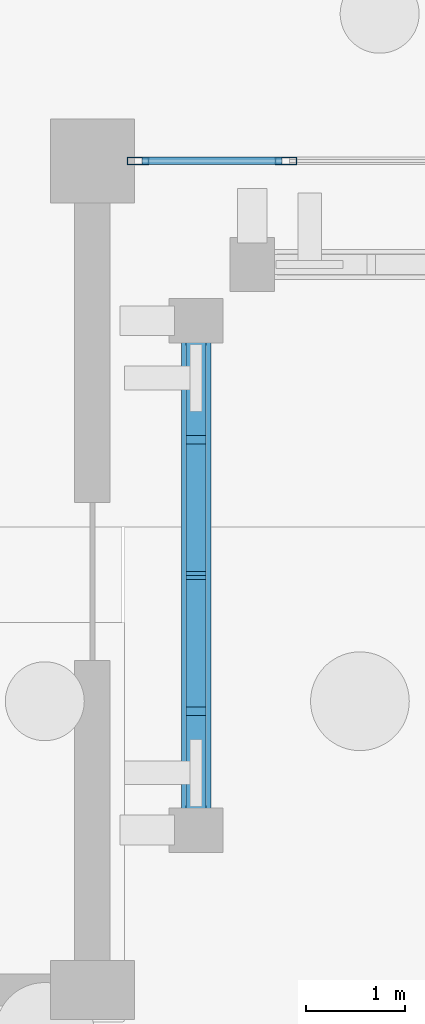
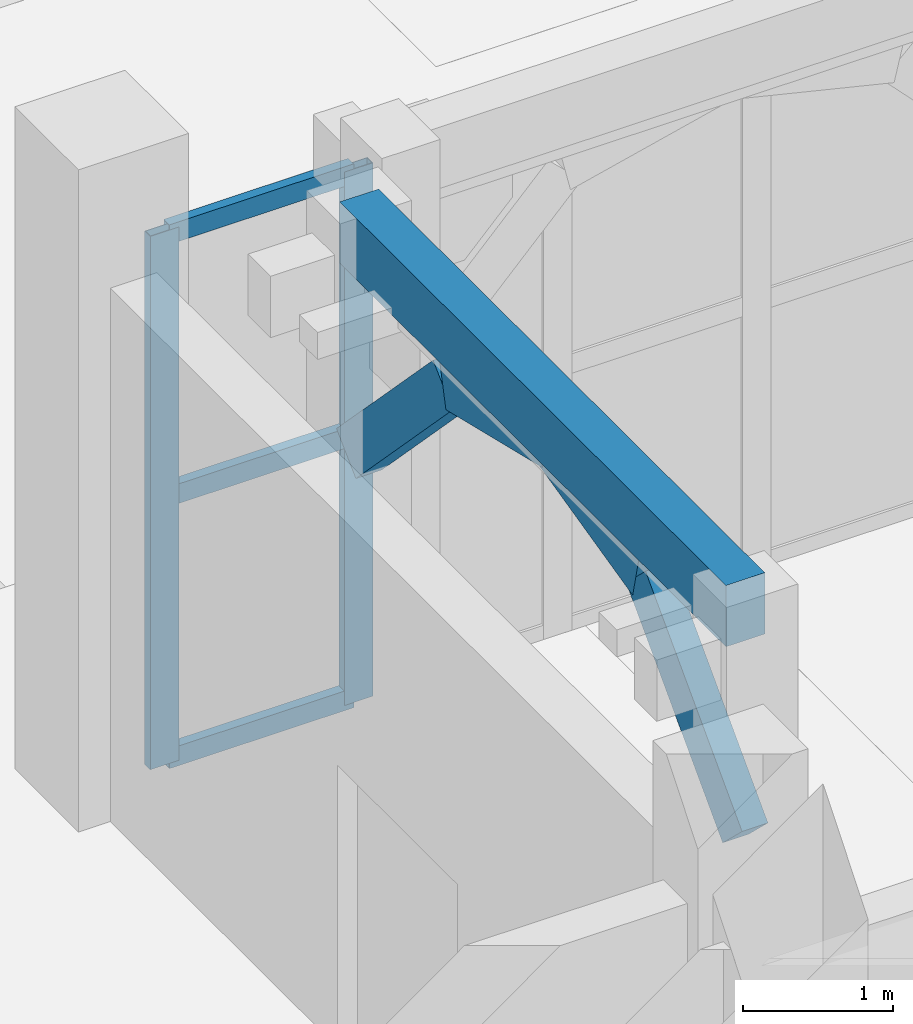
# One storey, part 21 of 98: 9 members, 1 beam, 1 element without a shape of its own.
"""IFC4 building model written with IfcOpenShell, lengths in metres."""

from ifc_helpers import new_model, si_unit, direction, frame, origin, origin_2d, place, context, subcontext, project, spatial, rectangle, hollow_rectangle, extrude, material, layer, layer_set, material_profile, profile_set, type_object, element, aggregate, save


model = new_model("IFC4")

# Units and contexts
model_context = context("Model", 3, precision=1e-05, world=origin(), true_north=direction((0.0, 1.0)))
body_context = subcontext(model_context, "Body", "Model", "MODEL_VIEW")
ifc_project = project(units=[si_unit("LENGTHUNIT", "METRE"), si_unit("AREAUNIT", "SQUARE_METRE"), si_unit("VOLUMEUNIT", "CUBIC_METRE"), si_unit("PLANEANGLEUNIT", "RADIAN"), si_unit("MASSUNIT", "GRAM", prefix="KILO")], contexts=[model_context])

# Site, building, storey
site_placement = place(None, origin())
site = spatial("IfcSite", under=ifc_project, at=site_placement, CompositionType="ELEMENT")
building_placement = place(site_placement, origin())
building = spatial("IfcBuilding", under=site, at=building_placement, Name="Xazarin Passage Department Store", CompositionType="ELEMENT")
storey_placement = place(building_placement, origin())
storey = spatial("IfcBuildingStorey", under=building, at=storey_placement, Name="L00", CompositionType="ELEMENT", Elevation=0.0)

# Curtain wall, members
ifc_material_1 = material(Name="Bronze anodised aluminium", Category="aluminium")
ifc_layer = layer(ifc_material_1, 0.179931640625)
ifc_layer_set = layer_set([ifc_layer], Name="Bronze anodised aluminium")
curtain_wall_type = type_object("IfcCurtainWallType", Name="ARC-CW-VIT1", PredefinedType="NOTDEFINED", material=ifc_layer_set)
curtain_wall_placement = place(storey_placement, origin())
curtain_wall = element("IfcCurtainWall", 1, at=curtain_wall_placement, inside=storey, type_object=curtain_wall_type, Name="L00 V1 Curtain Wall 001", PredefinedType="NOTDEFINED")
ifc_material_profile_1 = material_profile(ifc_material_1, hollow_rectangle(XDim=0.074951171875, YDim=0.219970703125, WallThickness=0.0048828125, at=origin_2d()), Name="ALU 75x220")
ifc_profile_set_1 = profile_set([ifc_material_profile_1], Name="Bronze anodised aluminium")
member_type_1 = type_object("IfcMemberType", Name="ARC-CWM-75x220", PredefinedType="MULLION", material=ifc_profile_set_1)
member_1_placement = place(storey_placement, frame((59.262451171875, 59.60009765625, 0.0), z_axis=(0.0, 0.0, 1.0), x_axis=(0.0, 1.0, 0.0)))
member_1 = element("IfcMember", 2, at=member_1_placement, type_object=member_type_1, Name="CW1 mullion 1", PredefinedType="MULLION", context=body_context, shape_type="SweptSolid", body=[
    extrude(hollow_rectangle(XDim=0.074951171875, YDim=0.219970703125, WallThickness=0.0048828125, at=origin_2d()), origin(), (0.0, 0.0, 1.0), 4.35009765625),
])
member_2_placement = place(storey_placement, frame((60.760009765625, 59.60009765625, 0.0), z_axis=(0.0, 0.0, 1.0), x_axis=(0.0, 1.0, 0.0)))
member_2 = element("IfcMember", 3, at=member_2_placement, type_object=member_type_1, Name="CW1 mullion 2", PredefinedType="MULLION", context=body_context, shape_type="SweptSolid", body=[
    extrude(hollow_rectangle(XDim=0.074951171875, YDim=0.219970703125, WallThickness=0.0048828125, at=origin_2d()), origin(), (0.0, 0.0, 1.0), 4.35009765625),
])
ifc_material_profile_2 = material_profile(ifc_material_1, hollow_rectangle(XDim=0.074951171875, YDim=0.159912109375, WallThickness=0.00439453125, at=origin_2d()), Name="ALU 75x160")
ifc_profile_set_2 = profile_set([ifc_material_profile_2], Name="Bronze anodised aluminium")
member_type_2 = type_object("IfcMemberType", Name="ARC-CWT-75x160", PredefinedType="USERDEFINED", material=ifc_profile_set_2)
member_3_placement = place(storey_placement, frame((59.300048828125, 59.60009765625, 0.03759765625), z_axis=(1.0, 0.0, 0.0), x_axis=(0.0, 1.0, 0.0)))
member_3 = element("IfcMember", 4, at=member_3_placement, type_object=member_type_2, Name="CW1 transom 1.1", ObjectType="TRANSOM", PredefinedType="USERDEFINED", context=body_context, shape_type="SweptSolid", body=[
    extrude(hollow_rectangle(XDim=0.074951171875, YDim=0.159912109375, WallThickness=0.00439453125, at=origin_2d()), origin(), (0.0, 0.0, 1.0), 1.42236328125),
])
member_4_placement = place(storey_placement, frame((59.300048828125, 59.60009765625, 2.175048828125), z_axis=(1.0, 0.0, 0.0), x_axis=(0.0, 1.0, 0.0)))
member_4 = element("IfcMember", 5, at=member_4_placement, type_object=member_type_2, Name="CW1 transom 1.2", ObjectType="TRANSOM", PredefinedType="USERDEFINED", context=body_context, shape_type="SweptSolid", body=[
    extrude(hollow_rectangle(XDim=0.074951171875, YDim=0.159912109375, WallThickness=0.00439453125, at=origin_2d()), origin(), (0.0, 0.0, 1.0), 1.42236328125),
])
member_5_placement = place(storey_placement, frame((59.300048828125, 59.60009765625, 4.3125), z_axis=(1.0, 0.0, 0.0), x_axis=(0.0, 1.0, 0.0)))
member_5 = element("IfcMember", 6, at=member_5_placement, type_object=member_type_2, Name="CW1 transom 1.3", ObjectType="TRANSOM", PredefinedType="USERDEFINED", context=body_context, shape_type="SweptSolid", body=[
    extrude(hollow_rectangle(XDim=0.074951171875, YDim=0.159912109375, WallThickness=0.00439453125, at=origin_2d()), origin(), (0.0, 0.0, 1.0), 1.42236328125),
])
aggregate(curtain_wall, [member_1, member_2, member_3, member_4, member_5])

# Beam
ifc_material_2 = material(Name="Concrete C35/45", Category="concrete")
ifc_material_profile_3 = material_profile(ifc_material_2, rectangle(XDim=0.300048828125, YDim=0.5, at=origin_2d()), Name="RC 300x500")
ifc_profile_set_3 = profile_set([ifc_material_profile_3], Name="Concrete C35/45")
beam_type = type_object("IfcBeamType", Name="STR-BM-LN300x500", PredefinedType="LINTEL", material=ifc_profile_set_3)
beam_placement = place(storey_placement, frame((59.85009765625, 52.820068359375, 5.14990234375), z_axis=(0.0, 1.0, 0.0), x_axis=(-1.0, 0.0, 0.0)))
element("IfcBeam", 7, at=beam_placement, inside=storey, type_object=beam_type, Name="L00 V1 Colonnade Spandrel Beam 017", PredefinedType="LINTEL", context=body_context, shape_type="SweptSolid", body=[
    extrude(rectangle(XDim=0.300048828125, YDim=0.5, at=origin_2d()), origin(), (0.0, 0.0, 1.0), 5.159912109375),
])

# Members
ifc_material_3 = material(Name="Concrete C40/50", Category="concrete")
ifc_material_profile_4 = material_profile(ifc_material_3, rectangle(XDim=0.199951171875, YDim=0.360107421875, at=origin_2d()), Name="RC 200x360")
ifc_profile_set_4 = profile_set([ifc_material_profile_4], Name="Concrete C40/50")
member_type_3 = type_object("IfcMemberType", Name="STR-MEM-ARC360", PredefinedType="CHORD", material=ifc_profile_set_4)
member_6_placement = place(storey_placement, frame((59.85009765625, 52.820068359375, 3.330078125), z_axis=(0.0, 0.693460080602, 0.720495049679), x_axis=(-1.0, 0.0, 0.0)))
element("IfcMember", 8, at=member_6_placement, inside=storey, type_object=member_type_3, Name="L00 V1 Pierced Lattice Curved Arch 017.1", PredefinedType="CHORD", context=body_context, shape_type="SweptSolid", body=[
    extrude(rectangle(XDim=0.199951171875, YDim=0.360107421875, at=origin_2d()), origin(), (0.0, 0.0, 1.0), 1.8603515625),
])
member_7_placement = place(storey_placement, frame((59.85009765625, 54.110107421875, 4.67041015625), z_axis=(0.0, 0.972383960415, 0.233386875224), x_axis=(-1.0, 0.0, 0.0)))
element("IfcMember", 9, at=member_7_placement, inside=storey, type_object=member_type_3, Name="L00 V1 Pierced Lattice Curved Arch 017.2", PredefinedType="CHORD", context=body_context, shape_type="SweptSolid", body=[
    extrude(rectangle(XDim=0.199951171875, YDim=0.360107421875, at=origin_2d()), origin(), (0.0, 0.0, 1.0), 1.326416015625),
])
member_8_placement = place(storey_placement, frame((59.85009765625, 55.39990234375, 4.97998046875), z_axis=(0.0, 0.972393983317, -0.233345111818), x_axis=(-1.0, 0.0, 0.0)))
element("IfcMember", 10, at=member_8_placement, inside=storey, type_object=member_type_3, Name="L00 V1 Pierced Lattice Curved Arch 017.3", PredefinedType="CHORD", context=body_context, shape_type="SweptSolid", body=[
    extrude(rectangle(XDim=0.199951171875, YDim=0.360107421875, at=origin_2d()), origin(), (0.0, 0.0, 1.0), 1.32666015625),
])
member_9_placement = place(storey_placement, frame((59.85009765625, 56.68994140625, 4.67041015625), z_axis=(0.0, 0.693460080602, -0.720495049679), x_axis=(-1.0, 0.0, 0.0)))
element("IfcMember", 11, at=member_9_placement, inside=storey, type_object=member_type_3, Name="L00 V1 Pierced Lattice Curved Arch 017.4", PredefinedType="CHORD", context=body_context, shape_type="SweptSolid", body=[
    extrude(rectangle(XDim=0.199951171875, YDim=0.360107421875, at=origin_2d()), origin(), (0.0, 0.0, 1.0), 1.8603515625),
])

save(model, "model.ifc")
